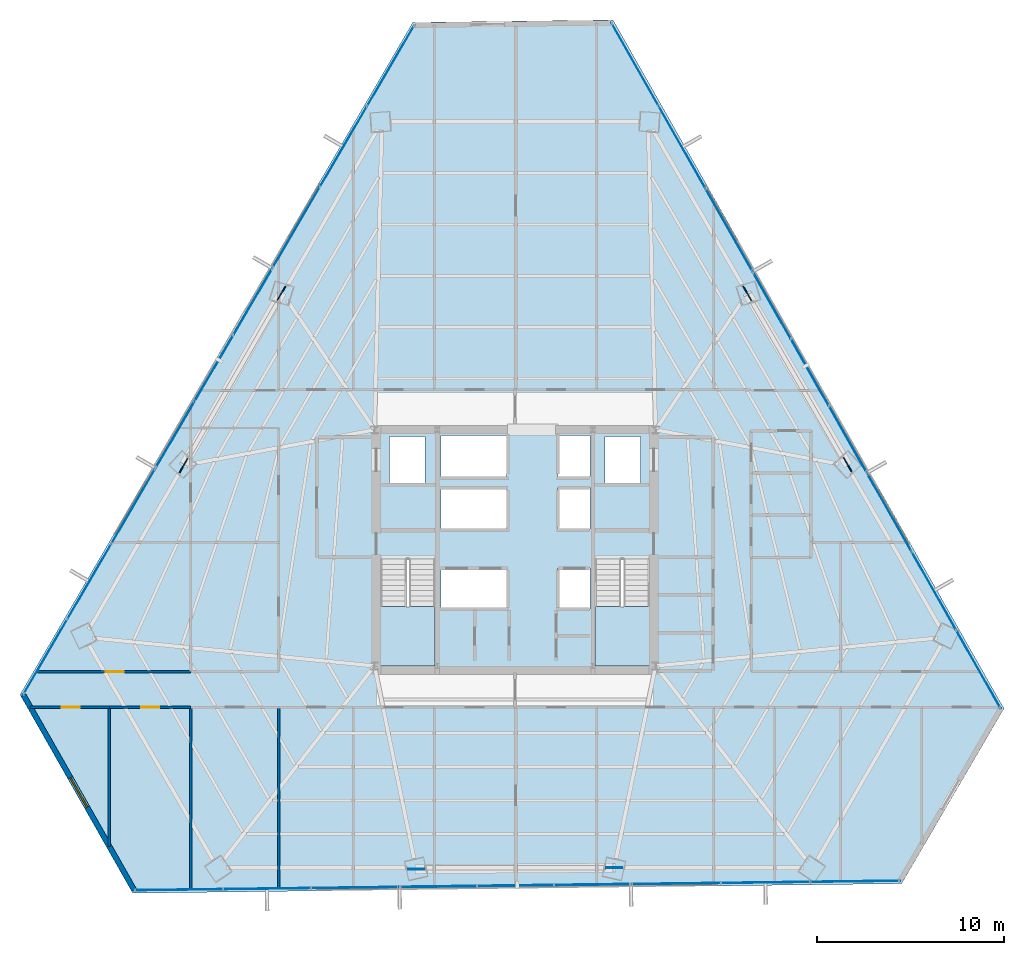
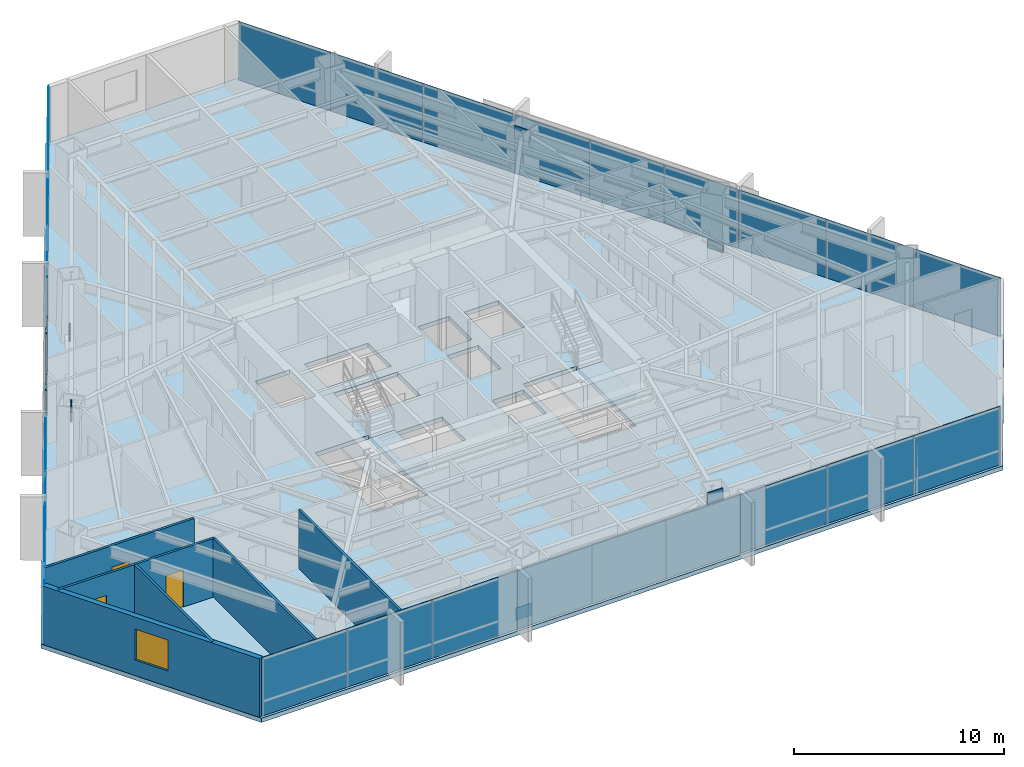
# One storey, part 30 of 37: 33 plates, 7 walls, 3 doors, 3 slabs, 1 window, 4 openings, 11 elements without a shape of their own.
"""IFC4 building model written with IfcOpenShell, lengths in metres."""

from ifc_helpers import new_model, si_unit, direction, frame, frame_2d, origin, origin_2d, place, context, subcontext, project, spatial, polyline, rectangle, outline, extrude, source, transform, mapped, material, layer, layer_set, type_object, type_shapes, element, fill, aggregate, save


model = new_model("IFC4")

# Units and contexts
model_context = context("Model", 3, precision=1e-05, world=origin(), true_north=direction((0.0, 1.0)))
body_context = subcontext(model_context, "Body", "Model", "MODEL_VIEW")
ifc_project = project(units=[si_unit("LENGTHUNIT", "METRE"), si_unit("AREAUNIT", "SQUARE_METRE"), si_unit("VOLUMEUNIT", "CUBIC_METRE"), si_unit("PLANEANGLEUNIT", "RADIAN"), si_unit("MASSUNIT", "GRAM", prefix="KILO")], contexts=[model_context])

# Site, building, storey
site_placement = place(None, origin())
site = spatial("IfcSite", under=ifc_project, at=site_placement, CompositionType="ELEMENT")
building_placement = place(site_placement, origin())
building = spatial("IfcBuilding", under=site, at=building_placement, Name="Caelisora Broadcast Tower", CompositionType="ELEMENT")
storey_placement = place(building_placement, frame((0.0, 0.0, 116.35009765625)))
storey = spatial("IfcBuildingStorey", under=building, at=storey_placement, Name="L30", CompositionType="ELEMENT", Elevation=116.35009765625)

# Slab
ifc_material_1 = material(Name="Concrete 40 MPa (AS 3600 N40)", Category="concrete")
ifc_layer_1 = layer(ifc_material_1, 0.25, Name="Concrete 40 MPa (AS 3600 N40)")
ifc_layer_set_1 = layer_set([ifc_layer_1], Name="Concrete 40 MPa (AS 3600 N40)")
slab_type_1 = type_object("IfcSlabType", Name="SL04", PredefinedType="FLOOR", material=ifc_layer_set_1)
slab_1_placement = place(storey_placement, frame((0.0, 0.0, -0.25)))
element("IfcSlab", 1, at=slab_1_placement, inside=storey, type_object=slab_type_1, Name="L30 suspended floor SL04", PredefinedType="FLOOR", context=body_context, shape_type="SweptSolid", body=[
    extrude(outline(polyline([(43.23095703125, 51.8720703125), (32.5390625, 51.739990234375), (11.580078125, 15.866943359375), (17.593994140625, 5.27392578125), (58.633056640625, 5.781982421875), (64.093017578125, 15.1279296875), (43.23095703125, 51.8720703125)]), holes=[polyline([(30.820068359375, 17.39990234375), (33.739990234375, 17.39990234375), (33.739990234375, 23.080078125), (30.820068359375, 23.080078125), (30.820068359375, 17.39990234375)]), polyline([(42.260009765625, 17.39990234375), (45.179931640625, 17.39990234375), (45.179931640625, 23.080078125), (42.260009765625, 23.080078125), (42.260009765625, 17.39990234375)]), polyline([(42.800048828125, 27.14990234375), (44.699951171875, 27.14990234375), (44.699951171875, 29.64990234375), (42.800048828125, 29.64990234375), (42.800048828125, 27.14990234375)]), polyline([(40.300048828125, 20.429931640625), (42.0, 20.429931640625), (42.0, 22.6298828125), (40.300048828125, 22.6298828125), (40.300048828125, 20.429931640625)]), polyline([(40.300048828125, 24.719970703125), (42.0, 24.719970703125), (42.0, 26.919921875), (40.300048828125, 26.919921875), (40.300048828125, 24.719970703125)]), polyline([(40.300048828125, 27.5), (42.0, 27.5), (42.0, 29.699951171875), (40.300048828125, 29.699951171875), (40.300048828125, 27.5)]), polyline([(34.050048828125, 20.429931640625), (37.550048828125, 20.429931640625), (37.550048828125, 22.6298828125), (34.050048828125, 22.6298828125), (34.050048828125, 20.429931640625)]), polyline([(34.050048828125, 24.719970703125), (37.550048828125, 24.719970703125), (37.550048828125, 26.919921875), (34.050048828125, 26.919921875), (34.050048828125, 24.719970703125)]), polyline([(34.050048828125, 27.5), (37.550048828125, 27.5), (37.550048828125, 29.699951171875), (34.050048828125, 29.699951171875), (34.050048828125, 27.5)]), polyline([(31.300048828125, 27.14990234375), (33.199951171875, 27.14990234375), (33.199951171875, 29.64990234375), (31.300048828125, 29.64990234375), (31.300048828125, 27.14990234375)])]), origin(), (0.0, 0.0, 1.0), 0.25),
])

# Stair, slab
stair_type_1 = type_object("IfcStairType", Name="ST-1", PredefinedType="HALF_TURN_STAIR", material=ifc_material_1)
stair_1_placement = place(storey_placement, origin())
stair_1 = element("IfcStair", 2, at=stair_1_placement, inside=storey, type_object=stair_type_1, Name="L30 West Fire-Isolated Tower Stair", PredefinedType="HALF_TURN_STAIR")
ifc_layer_2 = layer(ifc_material_1, 0.199951171875, Name="Concrete 40 MPa (AS 3600 N40)")
ifc_layer_set_2 = layer_set([ifc_layer_2], Name="Concrete 40 MPa (AS 3600 N40)")
slab_type_2 = type_object("IfcSlabType", Name="STL-1", PredefinedType="LANDING", material=ifc_layer_set_2)
slab_2_placement = place(storey_placement, frame((0.0, 0.0, 1.625)))
slab_2 = element("IfcSlab", 3, at=slab_2_placement, type_object=slab_type_2, Name="ST-1 landing 1", PredefinedType="LANDING", context=body_context, shape_type="SweptSolid", body=[
    extrude(outline(polyline([(30.820068359375, 20.580078125), (30.820068359375, 17.39990234375), (33.739990234375, 17.39990234375), (33.739990234375, 20.580078125), (30.820068359375, 20.580078125)])), origin(), (0.0, 0.0, 1.0), 0.199951171875),
])
aggregate(stair_1, [slab_2])

stair_type_2 = type_object("IfcStairType", Name="ST-2", PredefinedType="HALF_TURN_STAIR", material=ifc_material_1)
stair_2_placement = place(storey_placement, origin())
stair_2 = element("IfcStair", 4, at=stair_2_placement, inside=storey, type_object=stair_type_2, Name="L30 East Fire-Isolated Tower Stair", PredefinedType="HALF_TURN_STAIR")
slab_3_placement = place(storey_placement, frame((0.0, 0.0, 1.625)))
slab_3 = element("IfcSlab", 5, at=slab_3_placement, type_object=slab_type_2, Name="ST-2 landing 1", PredefinedType="LANDING", context=body_context, shape_type="SweptSolid", body=[
    extrude(outline(polyline([(42.260009765625, 20.580078125), (42.260009765625, 17.39990234375), (45.179931640625, 17.39990234375), (45.179931640625, 20.580078125), (42.260009765625, 20.580078125)])), origin(), (0.0, 0.0, 1.0), 0.199951171875),
])
aggregate(stair_2, [slab_3])

# Plates
ifc_material_2 = material(Name="Steel Grade 350 L15 (AS/NZS 3678)", Category="steel")
ifc_layer_3 = layer(ifc_material_2, 0.050048828125, Name="Steel Grade 350 L15 (AS/NZS 3678)")
ifc_layer_set_3 = layer_set([ifc_layer_3], Name="Steel Grade 350 L15 (AS/NZS 3678)")
plate_type_1 = type_object("IfcPlateType", Name="GP03", PredefinedType="USERDEFINED", material=ifc_layer_set_3)
shared_shape_1 = source(origin(), body_context, "Body", "SweptSolid", [
    extrude(rectangle(XDim=0.85009765625, YDim=0.050048828125, at=origin_2d()), origin(), (0.0, 0.0, 1.0), 0.699951171875),
])
type_shapes(plate_type_1, [shared_shape_1])
for number, where, z_axis, x_axis, name in (
    (6, (25.53271484375, 37.2900390625, -0.22998046875), (0.0, 0.0, 1.0), (-0.5, -0.866025403784, 0.0), "L30 gusset plate GP03 (ND-L30-C02B)"),
    (7, (20.311279296875, 28.101806640625, 2.72998046875), (0.0, 0.0, 1.0), (-0.5, -0.866025403784, 0.0), "L30 gusset plate GP03 (ND-L30-C03T)"),
    (8, (32.72412109375, 6.557861328125, -0.22998046875), (0.0, 0.0, 1.0), (1.0, 0.0, 0.0), "L30 gusset plate GP03 (ND-L30-C06B)"),
    (9, (43.292236328125, 6.630126953125, 2.72998046875), (0.0, 0.0, 1.0), (1.0, 0.0, 0.0), "L30 gusset plate GP03 (ND-L30-C07T)"),
    (10, (55.7431640625, 28.152099609375, -0.22998046875), (0.0, 0.0, 1.0), (-0.5, 0.866025403784, 0.0), "L30 gusset plate GP03 (ND-L30-C10B)"),
    (11, (50.396484375, 37.26806640625, 2.72998046875), (0.0, 0.0, 1.0), (-0.5, 0.866025403784, 0.0), "L30 gusset plate GP03 (ND-L30-C11T)"),
):
    element("IfcPlate", number, at=place(storey_placement, frame(where, z_axis=z_axis, x_axis=x_axis)), inside=storey, type_object=plate_type_1, Name=name, ObjectType="GUSSET PLATE", PredefinedType="USERDEFINED", context=body_context, shape_type="MappedRepresentation", body=[
        mapped(shared_shape_1, transform((0.0, 0.0, 0.0), scale=1.0)),
    ])

# Curtain wall, plates
ifc_material_3 = material(Name="Unitised Aluminium and Low-E Glass Curtain Wall", Category="glass")
curtain_wall_type_1 = type_object("IfcCurtainWallType", Name="CW-Z2", PredefinedType="NOTDEFINED", material=ifc_material_3)
curtain_wall_1_placement = place(storey_placement, origin())
curtain_wall_1 = element("IfcCurtainWall", 12, at=curtain_wall_1_placement, inside=storey, type_object=curtain_wall_type_1, Name="L30 curtain wall CW-Z2", PredefinedType="NOTDEFINED")
ifc_material_4 = material(Name="Double Glazed Low-E Argon IGU", Category="glass")
ifc_layer_4 = layer(ifc_material_4, 0.033935546875, Name="Double Glazed Low-E Argon IGU")
ifc_layer_set_4 = layer_set([ifc_layer_4], Name="Double Glazed Low-E Argon IGU")
plate_type_2 = type_object("IfcPlateType", Name="CWP-03", PredefinedType="CURTAIN_PANEL", material=ifc_layer_set_4)
shared_shape_2 = source(origin(), body_context, "Body", "SweptSolid", [
    extrude(rectangle(XDim=5.086669921875, YDim=0.033935546875, at=origin_2d()), origin(), (0.0, 0.0, 1.0), 3.39990234375),
])
plate_1_placement = place(storey_placement, frame((44.39990234375, 49.50927734375, 0.0), z_axis=(0.0, 0.0, 1.0), x_axis=(0.493790103568, -0.86958112538, 0.0)))
plate_1 = element("IfcPlate", 13, at=plate_1_placement, type_object=plate_type_2, Name="L30-CW-B01 glazed panel #1", PredefinedType="CURTAIN_PANEL", context=body_context, shape_type="MappedRepresentation", body=[
    mapped(shared_shape_2, transform((0.0, 0.0, 0.0), scale=1.0)),
])
plate_2_placement = place(storey_placement, frame((46.911376953125, 45.085693359375, 0.0), z_axis=(0.0, 0.0, 1.0), x_axis=(0.493790103568, -0.86958112538, 0.0)))
plate_2 = element("IfcPlate", 14, at=plate_2_placement, type_object=plate_type_2, Name="L30-CW-B01 glazed panel #2", PredefinedType="CURTAIN_PANEL", context=body_context, shape_type="MappedRepresentation", body=[
    mapped(shared_shape_2, transform((0.0, 0.0, 0.0), scale=1.0)),
])
plate_3_placement = place(storey_placement, frame((49.4228515625, 40.662353515625, 0.0), z_axis=(0.0, 0.0, 1.0), x_axis=(0.493790103568, -0.86958112538, 0.0)))
plate_3 = element("IfcPlate", 15, at=plate_3_placement, type_object=plate_type_2, Name="L30-CW-B01 glazed panel #3", PredefinedType="CURTAIN_PANEL", context=body_context, shape_type="MappedRepresentation", body=[
    mapped(shared_shape_2, transform((0.0, 0.0, 0.0), scale=1.0)),
])
aggregate(curtain_wall_1, [plate_1, plate_2, plate_3])

ifc_material_5 = material(Name="Unitised Aluminium Insulated Shadow-Box Spandrel Curtain Wall", Category="aluminium")
curtain_wall_type_2 = type_object("IfcCurtainWallType", Name="CW-SP1", PredefinedType="NOTDEFINED", material=ifc_material_5)
curtain_wall_2_placement = place(storey_placement, origin())
curtain_wall_2 = element("IfcCurtainWall", 16, at=curtain_wall_2_placement, inside=storey, type_object=curtain_wall_type_2, Name="L30 curtain wall CW-SP1", PredefinedType="NOTDEFINED")
ifc_material_6 = material(Name="Insulated Terracotta Shadow-Box Spandrel Panel", Category="aluminium")
ifc_layer_5 = layer(ifc_material_6, 0.0439453125, Name="Insulated Terracotta Shadow-Box Spandrel Panel")
ifc_layer_set_5 = layer_set([ifc_layer_5], Name="Insulated Terracotta Shadow-Box Spandrel Panel")
plate_type_3 = type_object("IfcPlateType", Name="CWP-10", PredefinedType="CURTAIN_PANEL", material=ifc_layer_set_5)
shared_shape_3 = source(origin(), body_context, "Body", "SweptSolid", [
    extrude(rectangle(XDim=4.11376953125, YDim=0.0439453125, at=origin_2d()), origin(), (0.0, 0.0, 1.0), 3.39990234375),
])
plate_4_placement = place(storey_placement, frame((51.69921875, 36.6533203125, 0.0), z_axis=(0.0, 0.0, 1.0), x_axis=(0.493790103568, -0.86958112538, 0.0)))
plate_4 = element("IfcPlate", 17, at=plate_4_placement, type_object=plate_type_3, Name="L30-CW-B02 spandrel panel #1", PredefinedType="CURTAIN_PANEL", context=body_context, shape_type="MappedRepresentation", body=[
    mapped(shared_shape_3, transform((0.0, 0.0, 0.0), scale=1.0)),
])
plate_5_placement = place(storey_placement, frame((53.730224609375, 33.075927734375, 0.0), z_axis=(0.0, 0.0, 1.0), x_axis=(0.493790103568, -0.86958112538, 0.0)))
plate_5 = element("IfcPlate", 18, at=plate_5_placement, type_object=plate_type_3, Name="L30-CW-B02 spandrel panel #2", PredefinedType="CURTAIN_PANEL", context=body_context, shape_type="MappedRepresentation", body=[
    mapped(shared_shape_3, transform((0.0, 0.0, 0.0), scale=1.0)),
])
plate_6_placement = place(storey_placement, frame((55.761474609375, 29.49853515625, 0.0), z_axis=(0.0, 0.0, 1.0), x_axis=(0.493790103568, -0.86958112538, 0.0)))
plate_6 = element("IfcPlate", 19, at=plate_6_placement, type_object=plate_type_3, Name="L30-CW-B02 spandrel panel #3", PredefinedType="CURTAIN_PANEL", context=body_context, shape_type="MappedRepresentation", body=[
    mapped(shared_shape_3, transform((0.0, 0.0, 0.0), scale=1.0)),
])
aggregate(curtain_wall_2, [plate_4, plate_5, plate_6])

curtain_wall_3_placement = place(storey_placement, origin())
curtain_wall_3 = element("IfcCurtainWall", 20, at=curtain_wall_3_placement, inside=storey, type_object=curtain_wall_type_2, Name="L30 curtain wall CW-SP1", PredefinedType="NOTDEFINED")
plate_7_placement = place(storey_placement, frame((42.124267578125, 5.727783203125, 0.0), z_axis=(0.0, 0.0, 1.0), x_axis=(-0.999923222162, -0.012391520548, 0.0)))
plate_7 = element("IfcPlate", 21, at=plate_7_placement, type_object=plate_type_3, Name="L30-CW-B06 spandrel panel #1", PredefinedType="CURTAIN_PANEL", context=body_context, shape_type="MappedRepresentation", body=[
    mapped(shared_shape_3, transform((0.0, 0.0, 0.0), scale=1.0)),
])
plate_8_placement = place(storey_placement, frame((38.010986328125, 5.6767578125, 0.0), z_axis=(0.0, 0.0, 1.0), x_axis=(-0.999923222162, -0.012391520548, 0.0)))
plate_8 = element("IfcPlate", 22, at=plate_8_placement, type_object=plate_type_3, Name="L30-CW-B06 spandrel panel #2", PredefinedType="CURTAIN_PANEL", context=body_context, shape_type="MappedRepresentation", body=[
    mapped(shared_shape_3, transform((0.0, 0.0, 0.0), scale=1.0)),
])
plate_9_placement = place(storey_placement, frame((33.897705078125, 5.625732421875, 0.0), z_axis=(0.0, 0.0, 1.0), x_axis=(-0.999923222162, -0.012391520548, 0.0)))
plate_9 = element("IfcPlate", 23, at=plate_9_placement, type_object=plate_type_3, Name="L30-CW-B06 spandrel panel #3", PredefinedType="CURTAIN_PANEL", context=body_context, shape_type="MappedRepresentation", body=[
    mapped(shared_shape_3, transform((0.0, 0.0, 0.0), scale=1.0)),
])
aggregate(curtain_wall_3, [plate_7, plate_8, plate_9])

curtain_wall_4_placement = place(storey_placement, origin())
curtain_wall_4 = element("IfcCurtainWall", 24, at=curtain_wall_4_placement, inside=storey, type_object=curtain_wall_type_1, Name="L30 curtain wall CW-Z2", PredefinedType="NOTDEFINED")
shared_shape_4 = source(origin(), body_context, "Body", "SweptSolid", [
    extrude(rectangle(XDim=4.819091796875, YDim=0.033935546875, at=origin_2d()), origin(), (0.0, 0.0, 1.0), 3.39990234375),
])
plate_10_placement = place(storey_placement, frame((57.9716796875, 25.605712890625, 0.0), z_axis=(0.0, 0.0, 1.0), x_axis=(0.493790103568, -0.86958112538, 0.0)))
plate_10 = element("IfcPlate", 25, at=plate_10_placement, type_object=plate_type_2, Name="L30-CW-B03 glazed panel #1", PredefinedType="CURTAIN_PANEL", context=body_context, shape_type="MappedRepresentation", body=[
    mapped(shared_shape_4, transform((0.0, 0.0, 0.0), scale=1.0)),
])
plate_11_placement = place(storey_placement, frame((60.35107421875, 21.4150390625, 0.0), z_axis=(0.0, 0.0, 1.0), x_axis=(0.493790103568, -0.86958112538, 0.0)))
plate_11 = element("IfcPlate", 26, at=plate_11_placement, type_object=plate_type_2, Name="L30-CW-B03 glazed panel #2", PredefinedType="CURTAIN_PANEL", context=body_context, shape_type="MappedRepresentation", body=[
    mapped(shared_shape_4, transform((0.0, 0.0, 0.0), scale=1.0)),
])
plate_12_placement = place(storey_placement, frame((62.730224609375, 17.224365234375, 0.0), z_axis=(0.0, 0.0, 1.0), x_axis=(0.493790103568, -0.86958112538, 0.0)))
plate_12 = element("IfcPlate", 27, at=plate_12_placement, type_object=plate_type_2, Name="L30-CW-B03 glazed panel #3", PredefinedType="CURTAIN_PANEL", context=body_context, shape_type="MappedRepresentation", body=[
    mapped(shared_shape_4, transform((0.0, 0.0, 0.0), scale=1.0)),
])
aggregate(curtain_wall_4, [plate_10, plate_11, plate_12])

curtain_wall_5_placement = place(storey_placement, origin())
curtain_wall_5 = element("IfcCurtainWall", 28, at=curtain_wall_5_placement, inside=storey, type_object=curtain_wall_type_1, Name="L30 curtain wall CW-Z2", PredefinedType="NOTDEFINED")
shared_shape_5 = source(origin(), body_context, "Body", "SweptSolid", [
    extrude(rectangle(XDim=4.785400390625, YDim=0.033935546875, at=origin_2d()), origin(), (0.0, 0.0, 1.0), 3.39990234375),
])
plate_13_placement = place(storey_placement, frame((56.153564453125, 5.9013671875, 0.0), z_axis=(0.0, 0.0, 1.0), x_axis=(-0.999923222162, -0.012391520548, 0.0)))
plate_13 = element("IfcPlate", 29, at=plate_13_placement, type_object=plate_type_2, Name="L30-CW-B05 glazed panel #1", PredefinedType="CURTAIN_PANEL", context=body_context, shape_type="MappedRepresentation", body=[
    mapped(shared_shape_5, transform((0.0, 0.0, 0.0), scale=1.0)),
])
plate_14_placement = place(storey_placement, frame((51.368408203125, 5.842041015625, 0.0), z_axis=(0.0, 0.0, 1.0), x_axis=(-0.999923222162, -0.012391520548, 0.0)))
plate_14 = element("IfcPlate", 30, at=plate_14_placement, type_object=plate_type_2, Name="L30-CW-B05 glazed panel #2", PredefinedType="CURTAIN_PANEL", context=body_context, shape_type="MappedRepresentation", body=[
    mapped(shared_shape_5, transform((0.0, 0.0, 0.0), scale=1.0)),
])
plate_15_placement = place(storey_placement, frame((46.58349609375, 5.782958984375, 0.0), z_axis=(0.0, 0.0, 1.0), x_axis=(-0.999923222162, -0.012391520548, 0.0)))
plate_15 = element("IfcPlate", 31, at=plate_15_placement, type_object=plate_type_2, Name="L30-CW-B05 glazed panel #3", PredefinedType="CURTAIN_PANEL", context=body_context, shape_type="MappedRepresentation", body=[
    mapped(shared_shape_5, transform((0.0, 0.0, 0.0), scale=1.0)),
])
aggregate(curtain_wall_5, [plate_13, plate_14, plate_15])

curtain_wall_6_placement = place(storey_placement, origin())
curtain_wall_6 = element("IfcCurtainWall", 32, at=curtain_wall_6_placement, inside=storey, type_object=curtain_wall_type_1, Name="L30 curtain wall CW-Z2", PredefinedType="NOTDEFINED")
shared_shape_6 = source(origin(), body_context, "Body", "SweptSolid", [
    extrude(rectangle(XDim=4.717041015625, YDim=0.033935546875, at=origin_2d()), origin(), (0.0, 0.0, 1.0), 3.39990234375),
])
plate_16_placement = place(storey_placement, frame((29.47265625, 5.571044921875, 0.0), z_axis=(0.0, 0.0, 1.0), x_axis=(-0.999923222162, -0.012391520548, 0.0)))
plate_16 = element("IfcPlate", 33, at=plate_16_placement, type_object=plate_type_2, Name="L30-CW-B07 glazed panel #1", PredefinedType="CURTAIN_PANEL", context=body_context, shape_type="MappedRepresentation", body=[
    mapped(shared_shape_6, transform((0.0, 0.0, 0.0), scale=1.0)),
])
plate_17_placement = place(storey_placement, frame((24.755859375, 5.5126953125, 0.0), z_axis=(0.0, 0.0, 1.0), x_axis=(-0.999923222162, -0.012391520548, 0.0)))
plate_17 = element("IfcPlate", 34, at=plate_17_placement, type_object=plate_type_2, Name="L30-CW-B07 glazed panel #2", PredefinedType="CURTAIN_PANEL", context=body_context, shape_type="MappedRepresentation", body=[
    mapped(shared_shape_6, transform((0.0, 0.0, 0.0), scale=1.0)),
])
plate_18_placement = place(storey_placement, frame((20.039306640625, 5.4541015625, 0.0), z_axis=(0.0, 0.0, 1.0), x_axis=(-0.999923222162, -0.012391520548, 0.0)))
plate_18 = element("IfcPlate", 35, at=plate_18_placement, type_object=plate_type_2, Name="L30-CW-B07 glazed panel #3", PredefinedType="CURTAIN_PANEL", context=body_context, shape_type="MappedRepresentation", body=[
    mapped(shared_shape_6, transform((0.0, 0.0, 0.0), scale=1.0)),
])
aggregate(curtain_wall_6, [plate_16, plate_17, plate_18])

curtain_wall_7_placement = place(storey_placement, origin())
curtain_wall_7 = element("IfcCurtainWall", 36, at=curtain_wall_7_placement, inside=storey, type_object=curtain_wall_type_1, Name="L30 curtain wall CW-Z2", PredefinedType="NOTDEFINED")
shared_shape_7 = source(origin(), body_context, "Body", "SweptSolid", [
    extrude(rectangle(XDim=4.664306640625, YDim=0.033935546875, at=origin_2d()), origin(), (0.0, 0.0, 1.0), 3.39990234375),
])
plate_19_placement = place(storey_placement, frame((12.929443359375, 17.879638671875, 0.0), z_axis=(0.0, 0.0, 1.0), x_axis=(0.504527623815, 0.863395550607, 0.0)))
plate_19 = element("IfcPlate", 37, at=plate_19_placement, type_object=plate_type_2, Name="L30-CW-B09 glazed panel #1", PredefinedType="CURTAIN_PANEL", context=body_context, shape_type="MappedRepresentation", body=[
    mapped(shared_shape_7, transform((0.0, 0.0, 0.0), scale=1.0)),
])
plate_20_placement = place(storey_placement, frame((15.28271484375, 21.906982421875, 0.0), z_axis=(0.0, 0.0, 1.0), x_axis=(0.504527623815, 0.863395550607, 0.0)))
plate_20 = element("IfcPlate", 38, at=plate_20_placement, type_object=plate_type_2, Name="L30-CW-B09 glazed panel #2", PredefinedType="CURTAIN_PANEL", context=body_context, shape_type="MappedRepresentation", body=[
    mapped(shared_shape_7, transform((0.0, 0.0, 0.0), scale=1.0)),
])
plate_21_placement = place(storey_placement, frame((17.635498046875, 25.934326171875, 0.0), z_axis=(0.0, 0.0, 1.0), x_axis=(0.504527623815, 0.863395550607, 0.0)))
plate_21 = element("IfcPlate", 39, at=plate_21_placement, type_object=plate_type_2, Name="L30-CW-B09 glazed panel #3", PredefinedType="CURTAIN_PANEL", context=body_context, shape_type="MappedRepresentation", body=[
    mapped(shared_shape_7, transform((0.0, 0.0, 0.0), scale=1.0)),
])
aggregate(curtain_wall_7, [plate_19, plate_20, plate_21])

curtain_wall_8_placement = place(storey_placement, origin())
curtain_wall_8 = element("IfcCurtainWall", 40, at=curtain_wall_8_placement, inside=storey, type_object=curtain_wall_type_2, Name="L30 curtain wall CW-SP1", PredefinedType="NOTDEFINED")
shared_shape_8 = source(origin(), body_context, "Body", "SweptSolid", [
    extrude(rectangle(XDim=4.114013671875, YDim=0.0439453125, at=origin_2d()), origin(), (0.0, 0.0, 1.0), 3.39990234375),
])
type_shapes(plate_type_3, [shared_shape_3, shared_shape_8])
plate_22_placement = place(storey_placement, frame((19.854736328125, 29.732666015625, 0.0), z_axis=(0.0, 0.0, 1.0), x_axis=(0.504527623815, 0.863395550607, 0.0)))
plate_22 = element("IfcPlate", 41, at=plate_22_placement, type_object=plate_type_3, Name="L30-CW-B10 spandrel panel #1", PredefinedType="CURTAIN_PANEL", context=body_context, shape_type="MappedRepresentation", body=[
    mapped(shared_shape_8, transform((0.0, 0.0, 0.0), scale=1.0)),
])
plate_23_placement = place(storey_placement, frame((21.93017578125, 33.28466796875, 0.0), z_axis=(0.0, 0.0, 1.0), x_axis=(0.504527623815, 0.863395550607, 0.0)))
plate_23 = element("IfcPlate", 42, at=plate_23_placement, type_object=plate_type_3, Name="L30-CW-B10 spandrel panel #2", PredefinedType="CURTAIN_PANEL", context=body_context, shape_type="MappedRepresentation", body=[
    mapped(shared_shape_8, transform((0.0, 0.0, 0.0), scale=1.0)),
])
plate_24_placement = place(storey_placement, frame((24.005615234375, 36.836669921875, 0.0), z_axis=(0.0, 0.0, 1.0), x_axis=(0.504527623815, 0.863395550607, 0.0)))
plate_24 = element("IfcPlate", 43, at=plate_24_placement, type_object=plate_type_3, Name="L30-CW-B10 spandrel panel #3", PredefinedType="CURTAIN_PANEL", context=body_context, shape_type="MappedRepresentation", body=[
    mapped(shared_shape_8, transform((0.0, 0.0, 0.0), scale=1.0)),
])
aggregate(curtain_wall_8, [plate_22, plate_23, plate_24])

curtain_wall_9_placement = place(storey_placement, origin())
curtain_wall_9 = element("IfcCurtainWall", 44, at=curtain_wall_9_placement, inside=storey, type_object=curtain_wall_type_1, Name="L30 curtain wall CW-Z2", PredefinedType="NOTDEFINED")
shared_shape_9 = source(origin(), body_context, "Body", "SweptSolid", [
    extrude(rectangle(XDim=5.007080078125, YDim=0.033935546875, at=origin_2d()), origin(), (0.0, 0.0, 1.0), 3.39990234375),
])
type_shapes(plate_type_2, [shared_shape_2, shared_shape_4, shared_shape_5, shared_shape_6, shared_shape_7, shared_shape_9])
plate_25_placement = place(storey_placement, frame((26.311279296875, 40.782958984375, 0.0), z_axis=(0.0, 0.0, 1.0), x_axis=(0.504527623815, 0.863395550607, 0.0)))
plate_25 = element("IfcPlate", 45, at=plate_25_placement, type_object=plate_type_2, Name="L30-CW-B11 glazed panel #1", PredefinedType="CURTAIN_PANEL", context=body_context, shape_type="MappedRepresentation", body=[
    mapped(shared_shape_9, transform((0.0, 0.0, 0.0), scale=1.0)),
])
plate_26_placement = place(storey_placement, frame((28.837158203125, 45.106201171875, 0.0), z_axis=(0.0, 0.0, 1.0), x_axis=(0.504527623815, 0.863395550607, 0.0)))
plate_26 = element("IfcPlate", 46, at=plate_26_placement, type_object=plate_type_2, Name="L30-CW-B11 glazed panel #2", PredefinedType="CURTAIN_PANEL", context=body_context, shape_type="MappedRepresentation", body=[
    mapped(shared_shape_9, transform((0.0, 0.0, 0.0), scale=1.0)),
])
plate_27_placement = place(storey_placement, frame((31.363037109375, 49.429443359375, 0.0), z_axis=(0.0, 0.0, 1.0), x_axis=(0.504527623815, 0.863395550607, 0.0)))
plate_27 = element("IfcPlate", 47, at=plate_27_placement, type_object=plate_type_2, Name="L30-CW-B11 glazed panel #3", PredefinedType="CURTAIN_PANEL", context=body_context, shape_type="MappedRepresentation", body=[
    mapped(shared_shape_9, transform((0.0, 0.0, 0.0), scale=1.0)),
])
aggregate(curtain_wall_9, [plate_25, plate_26, plate_27])

# Wall, opening, window
ifc_material_7 = material(Name="Insulated Terracotta Spandrel Wall System", Category="masonry")
ifc_layer_6 = layer(ifc_material_7, 0.280029296875, Name="Insulated Terracotta Spandrel Wall System")
ifc_layer_set_6 = layer_set([ifc_layer_6], Name="Insulated Terracotta Spandrel Wall System")
wall_type_1 = type_object("IfcWallType", Name="EW1", PredefinedType="STANDARD", material=ifc_layer_set_6)
wall_1_placement = place(storey_placement, frame((17.666259765625, 5.451171875, 0.0), z_axis=(0.0, 0.0, 1.0), x_axis=(-0.493742538583, 0.869608133353, 0.0)))
wall_1 = element("IfcWall", 48, at=wall_1_placement, inside=storey, type_object=wall_type_1, Name="L30 exterior envelope wall EW1", PredefinedType="STANDARD", context=body_context, shape_type="SweptSolid", body=[
    extrude(rectangle(XDim=11.9462890625, YDim=0.280029296875, at=frame_2d((5.97314453125, 0.0))), origin(), (0.0, 0.0, 1.0), 3.39990234375),
])
opening_1_placement = place(wall_1_placement, frame((5.070068359375, 0.0, 0.89990234375)))
opening_1 = element("IfcOpeningElement", 49, at=opening_1_placement, cuts=wall_1, Name="Opening W01", PredefinedType="OPENING", context=body_context, shape_type="SweptSolid", body=[
    extrude(rectangle(XDim=1.800048828125, YDim=1.800048828125, at=frame_2d((0.89990234375, 0.89990234375))), frame((0.0, 0.152099609375, 0.0), z_axis=(0.0, -1.0, 0.0), x_axis=(1.0, 0.0, 0.0)), (0.0, 0.0, 1.0), 0.303955078125),
])
ifc_material_8 = material(Name="Double Glazed Terracotta-Framed Vision Window", Category="glass")
window_type = type_object("IfcWindowType", Name="W01", PartitioningType="SINGLE_PANEL", PredefinedType="WINDOW", material=ifc_material_8)
window_placement = place(opening_1_placement, origin())
window = element("IfcWindow", 50, at=window_placement, inside=storey, type_object=window_type, Name="L30 window W01 (L30-WN-CH4)", OverallHeight=1.800048828125, OverallWidth=1.800048828125, PartitioningType="SINGLE_PANEL", PredefinedType="WINDOW", context=body_context, shape_type="SweptSolid", body=[
    extrude(rectangle(XDim=1.800048828125, YDim=1.800048828125, at=frame_2d((0.89990234375, 0.89990234375))), frame((0.0, 0.030029296875, 0.0), z_axis=(0.0, -1.0, 0.0), x_axis=(1.0, 0.0, 0.0)), (0.0, 0.0, 1.0), 0.06005859375),
])
fill(opening_1, window)

# Walls
ifc_material_9 = material(Name="Acoustic Steel-Stud Plasterboard Partition", Category="gypsum")
ifc_layer_7 = layer(ifc_material_9, 0.1298828125, Name="Acoustic Steel-Stud Plasterboard Partition")
ifc_layer_set_7 = layer_set([ifc_layer_7], Name="Acoustic Steel-Stud Plasterboard Partition")
wall_type_2 = type_object("IfcWallType", Name="PW3", PredefinedType="PARTITIONING", material=ifc_layer_set_7)
wall_2_placement = place(storey_placement, frame((20.68994140625, 5.457275390625, 0.0), z_axis=(0.0, 0.0, 1.0), x_axis=(0.0, 1.0, 0.0)))
element("IfcWall", 51, at=wall_2_placement, inside=storey, type_object=wall_type_2, Name="L30 internal partition PW3", PredefinedType="PARTITIONING", context=body_context, shape_type="SweptSolid", body=[
    extrude(rectangle(XDim=9.73779296875, YDim=0.1298828125, at=frame_2d((4.868896484375, 0.0))), origin(), (0.0, 0.0, 1.0), 3.39990234375),
])
wall_3_placement = place(storey_placement, frame((25.39990234375, 5.515625, 0.0), z_axis=(0.0, 0.0, 1.0), x_axis=(0.0, 1.0, 0.0)))
element("IfcWall", 52, at=wall_3_placement, inside=storey, type_object=wall_type_2, Name="L30 internal partition PW3", PredefinedType="PARTITIONING", context=body_context, shape_type="SweptSolid", body=[
    extrude(rectangle(XDim=9.679443359375, YDim=0.1298828125, at=frame_2d((4.83984375, 0.0))), origin(), (0.0, 0.0, 1.0), 3.39990234375),
])

# Wall, opening, door
wall_4_placement = place(storey_placement, frame((12.46826171875, 17.10009765625, 0.0), z_axis=(0.0, 0.0, 1.0), x_axis=(1.0, 0.0, 0.0)))
wall_4 = element("IfcWall", 53, at=wall_4_placement, inside=storey, type_object=wall_type_2, Name="L30 internal partition PW3", PredefinedType="PARTITIONING", context=body_context, shape_type="SweptSolid", body=[
    extrude(rectangle(XDim=8.216796875, YDim=0.1298828125, at=frame_2d((4.1083984375, 0.0))), origin(), (0.0, 0.0, 1.0), 3.39990234375),
])
opening_2_placement = place(wall_4_placement, frame((3.681884765625, 0.0, 0.0)))
opening_2 = element("IfcOpeningElement", 54, at=opening_2_placement, cuts=wall_4, Name="Opening D01", PredefinedType="OPENING", context=body_context, shape_type="SweptSolid", body=[
    extrude(rectangle(XDim=0.9599609375, YDim=2.14990234375, at=frame_2d((0.47998046875, 1.074951171875))), frame((0.0, 0.076904296875, 0.0), z_axis=(0.0, -1.0, 0.0), x_axis=(1.0, 0.0, 0.0)), (0.0, 0.0, 1.0), 0.15380859375),
])
ifc_material_10 = material(Name="Solid-Core Timber Acoustic Office Door", Category="wood")
door_type = type_object("IfcDoorType", Name="D01", OperationType="NOTDEFINED", PredefinedType="DOOR", material=ifc_material_10)
door_1_placement = place(opening_2_placement, origin())
door_1 = element("IfcDoor", 55, at=door_1_placement, inside=storey, type_object=door_type, Name="L30 door D01 (L30-DR-P45D1)", OperationType="SINGLE_SWING_RIGHT", OverallHeight=2.14990234375, OverallWidth=0.9599609375, PredefinedType="DOOR", context=body_context, shape_type="SweptSolid", body=[
    extrude(rectangle(XDim=0.9599609375, YDim=2.14990234375, at=frame_2d((0.47998046875, 1.074951171875))), frame((0.0, 0.02490234375, 0.0), z_axis=(0.0, -1.0, 0.0), x_axis=(1.0, 0.0, 0.0)), (0.0, 0.0, 1.0), 0.050048828125),
])
fill(opening_2, door_1)

# Wall
wall_5_placement = place(storey_placement, frame((16.35009765625, 7.7587890625, 0.0), z_axis=(0.0, 0.0, 1.0), x_axis=(0.0, 1.0, 0.0)))
element("IfcWall", 56, at=wall_5_placement, inside=storey, type_object=wall_type_2, Name="L30 internal partition PW3", PredefinedType="PARTITIONING", context=body_context, shape_type="SweptSolid", body=[
    extrude(rectangle(XDim=7.436279296875, YDim=0.1298828125, at=frame_2d((3.71826171875, 0.0))), origin(), (0.0, 0.0, 1.0), 3.39990234375),
])

# Wall, opening, door
wall_6_placement = place(storey_placement, frame((16.35498046875, 15.199951171875, 0.0), z_axis=(0.0, 0.0, 1.0), x_axis=(1.0, 0.0, 0.0)))
wall_6 = element("IfcWall", 57, at=wall_6_placement, inside=storey, type_object=wall_type_2, Name="L30 internal partition PW3", PredefinedType="PARTITIONING", context=body_context, shape_type="SweptSolid", body=[
    extrude(rectangle(XDim=4.330078125, YDim=0.1298828125, at=frame_2d((2.1650390625, 0.0))), origin(), (0.0, 0.0, 1.0), 3.39990234375),
])
opening_3_placement = place(wall_6_placement, frame((1.68505859375, 0.0, 0.0)))
opening_3 = element("IfcOpeningElement", 58, at=opening_3_placement, cuts=wall_6, Name="Opening D01", PredefinedType="OPENING", context=body_context, shape_type="SweptSolid", body=[
    extrude(rectangle(XDim=0.9599609375, YDim=2.14990234375, at=frame_2d((0.47998046875, 1.074951171875))), frame((0.0, 0.076904296875, 0.0), z_axis=(0.0, -1.0, 0.0), x_axis=(1.0, 0.0, 0.0)), (0.0, 0.0, 1.0), 0.15380859375),
])
door_2_placement = place(opening_3_placement, origin())
door_2 = element("IfcDoor", 59, at=door_2_placement, inside=storey, type_object=door_type, Name="L30 door D01 (L30-DR-P63D1)", OperationType="SINGLE_SWING_LEFT", OverallHeight=2.14990234375, OverallWidth=0.9599609375, PredefinedType="DOOR", context=body_context, shape_type="SweptSolid", body=[
    extrude(rectangle(XDim=0.9599609375, YDim=2.14990234375, at=frame_2d((0.47998046875, 1.074951171875))), frame((0.0, 0.02490234375, 0.0), z_axis=(0.0, -1.0, 0.0), x_axis=(1.0, 0.0, 0.0)), (0.0, 0.0, 1.0), 0.050048828125),
])
fill(opening_3, door_2)

wall_7_placement = place(storey_placement, frame((12.12548828125, 15.199951171875, 0.0), z_axis=(0.0, 0.0, 1.0), x_axis=(1.0, 0.0, 0.0)))
wall_7 = element("IfcWall", 60, at=wall_7_placement, inside=storey, type_object=wall_type_2, Name="L30 internal partition PW3", PredefinedType="PARTITIONING", context=body_context, shape_type="SweptSolid", body=[
    extrude(rectangle(XDim=4.219482421875, YDim=0.1298828125, at=frame_2d((2.10986328125, 0.0))), origin(), (0.0, 0.0, 1.0), 3.39990234375),
])
opening_4_placement = place(wall_7_placement, frame((1.681884765625, 0.0, 0.0)))
opening_4 = element("IfcOpeningElement", 61, at=opening_4_placement, cuts=wall_7, Name="Opening D01", PredefinedType="OPENING", context=body_context, shape_type="SweptSolid", body=[
    extrude(rectangle(XDim=0.9599609375, YDim=2.14990234375, at=frame_2d((0.47998046875, 1.074951171875))), frame((0.0, 0.076904296875, 0.0), z_axis=(0.0, -1.0, 0.0), x_axis=(1.0, 0.0, 0.0)), (0.0, 0.0, 1.0), 0.15380859375),
])
door_3_placement = place(opening_4_placement, origin())
door_3 = element("IfcDoor", 62, at=door_3_placement, inside=storey, type_object=door_type, Name="L30 door D01 (L30-DR-P65D1)", OperationType="SINGLE_SWING_LEFT", OverallHeight=2.14990234375, OverallWidth=0.9599609375, PredefinedType="DOOR", context=body_context, shape_type="SweptSolid", body=[
    extrude(rectangle(XDim=0.9599609375, YDim=2.14990234375, at=frame_2d((0.47998046875, 1.074951171875))), frame((0.0, 0.02490234375, 0.0), z_axis=(0.0, -1.0, 0.0), x_axis=(1.0, 0.0, 0.0)), (0.0, 0.0, 1.0), 0.050048828125),
])
fill(opening_4, door_3)

save(model, "model.ifc")
